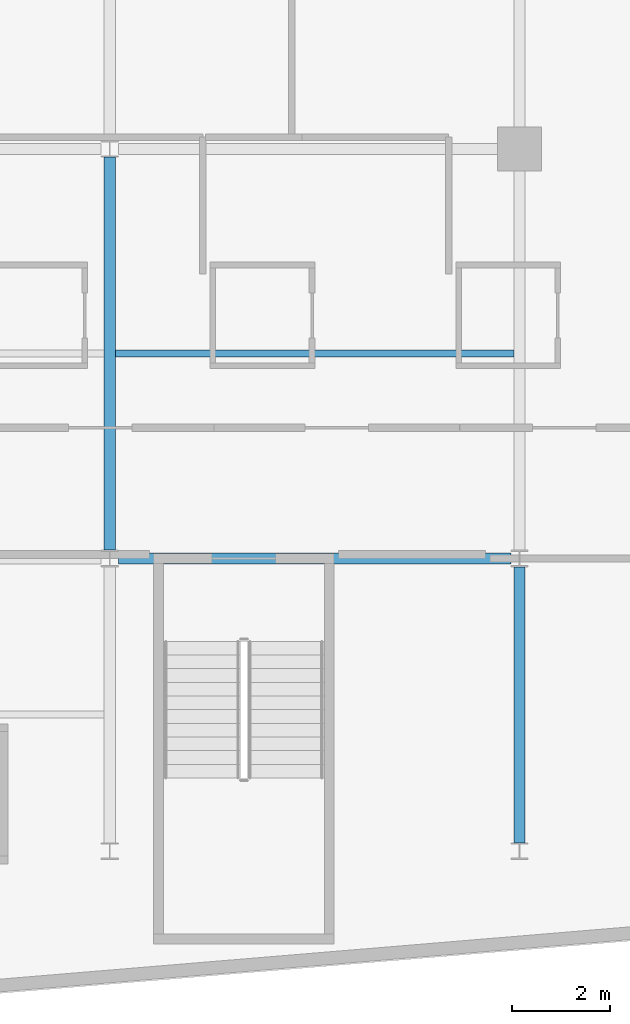
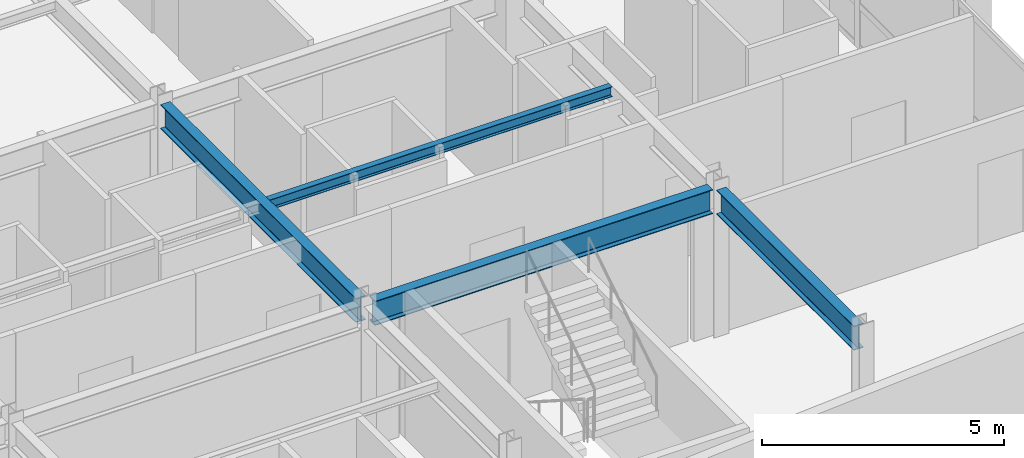
# One storey, part 4 of 21: 4 beams.
"""IFC4 building model written with IfcOpenShell, lengths in metres."""

from ifc_helpers import new_model, si_unit, direction, frame, origin, origin_2d, place, context, subcontext, project, spatial, i_section, extrude, material, material_profile, profile_set, type_object, element, save


model = new_model("IFC4")

# Units and contexts
model_context = context("Model", 3, precision=1e-05, world=origin(), true_north=direction((0.0, 1.0)))
body_context = subcontext(model_context, "Body", "Model", "MODEL_VIEW")
ifc_project = project(units=[si_unit("LENGTHUNIT", "METRE"), si_unit("AREAUNIT", "SQUARE_METRE"), si_unit("VOLUMEUNIT", "CUBIC_METRE"), si_unit("PLANEANGLEUNIT", "RADIAN"), si_unit("MASSUNIT", "GRAM", prefix="KILO")], contexts=[model_context])

# Site, building, storey
site_placement = place(None, origin())
site = spatial("IfcSite", under=ifc_project, at=site_placement, CompositionType="ELEMENT")
building_placement = place(site_placement, origin())
building = spatial("IfcBuilding", under=site, at=building_placement, Name="Varnakote Quay Hospital", CompositionType="ELEMENT")
storey_placement = place(building_placement, frame((0.0, 0.0, 38.300048828125)))
storey = spatial("IfcBuildingStorey", under=building, at=storey_placement, Name="L09", CompositionType="ELEMENT", Elevation=38.300048828125)

# Beams
ifc_material_1 = material(Name="Structural steel AS/NZS 3679.1 Grade 350 L0 (fy 340 MPa)", Category="steel")
ifc_material_profile_1 = material_profile(ifc_material_1, i_section(OverallWidth=0.22900390625, OverallDepth=0.612060546875, WebThickness=0.011962890625, FlangeThickness=0.01953125, FilletRadius=0.013916015625, at=origin_2d()), Name="610UB125")
ifc_profile_set_1 = profile_set([ifc_material_profile_1], Name="Structural steel AS/NZS 3679.1 Grade 350 L0 (fy 340 MPa)")
beam_type_1 = type_object("IfcBeamType", Name="BM-STL-610UB125", PredefinedType="BEAM", material=ifc_profile_set_1)
beam_1_placement = place(storey_placement, frame((42.175048828125, 12.0, 3.404052734375), z_axis=(1.0, 0.0, 0.0), x_axis=(0.0, 1.0, 0.0)))
element("IfcBeam", 1, at=beam_1_placement, inside=storey, type_object=beam_type_1, Name="L09 Primary Floor Beam", PredefinedType="BEAM", context=body_context, shape_type="SweptSolid", body=[
    extrude(i_section(OverallWidth=0.22900390625, OverallDepth=0.612060546875, WebThickness=0.011962890625, FlangeThickness=0.01953125, FilletRadius=0.013916015625, at=origin_2d()), origin(), (0.0, 0.0, 1.0), 8.050048828125),
])
beam_2_placement = place(storey_placement, frame((42.0, 12.169921875, 3.404052734375), z_axis=(0.0, 1.0, 0.0), x_axis=(-1.0, 0.0, 0.0)))
element("IfcBeam", 2, at=beam_2_placement, inside=storey, type_object=beam_type_1, Name="L09 Primary Tie Beam", PredefinedType="BEAM", context=body_context, shape_type="SweptSolid", body=[
    extrude(i_section(OverallWidth=0.22900390625, OverallDepth=0.612060546875, WebThickness=0.011962890625, FlangeThickness=0.01953125, FilletRadius=0.013916015625, at=origin_2d()), origin(), (0.0, 0.0, 1.0), 8.06005859375),
])
beam_3_placement = place(storey_placement, frame((50.39990234375, 6.169921875, 3.404052734375), z_axis=(0.0, 1.0, 0.0), x_axis=(-1.0, 0.0, 0.0)))
element("IfcBeam", 3, at=beam_3_placement, inside=storey, type_object=beam_type_1, Name="L09 Primary Tie Beam", PredefinedType="BEAM", context=body_context, shape_type="SweptSolid", body=[
    extrude(i_section(OverallWidth=0.22900390625, OverallDepth=0.612060546875, WebThickness=0.011962890625, FlangeThickness=0.01953125, FilletRadius=0.013916015625, at=origin_2d()), origin(), (0.0, 0.0, 1.0), 5.66015625),
])
ifc_material_2 = material(Name="Structural steel AS/NZS 3679.1 Grade 350 L0 (fy 340 MPa)", Category="steel")
ifc_material_profile_2 = material_profile(ifc_material_2, i_section(OverallWidth=0.14599609375, OverallDepth=0.256103515625, WebThickness=0.00634765625, FlangeThickness=0.010986328125, FilletRadius=0.0087890625, at=origin_2d()), Name="250UB37.3")
ifc_profile_set_2 = profile_set([ifc_material_profile_2], Name="Structural steel AS/NZS 3679.1 Grade 350 L0 (fy 340 MPa)")
beam_type_2 = type_object("IfcBeamType", Name="JST-STL-250UB37-3", PredefinedType="JOIST", material=ifc_profile_set_2)
beam_4_placement = place(storey_placement, frame((42.114501953125, 16.199951171875, 3.58203125), z_axis=(1.0, 0.0, 0.0), x_axis=(0.0, 1.0, 0.0)))
element("IfcBeam", 4, at=beam_4_placement, inside=storey, type_object=beam_type_2, Name="L09 Composite Floor Joist", PredefinedType="JOIST", context=body_context, shape_type="SweptSolid", body=[
    extrude(i_section(OverallWidth=0.14599609375, OverallDepth=0.256103515625, WebThickness=0.00634765625, FlangeThickness=0.010986328125, FilletRadius=0.0087890625, at=origin_2d()), origin(), (0.0, 0.0, 1.0), 8.1708984375),
])

save(model, "model.ifc")
